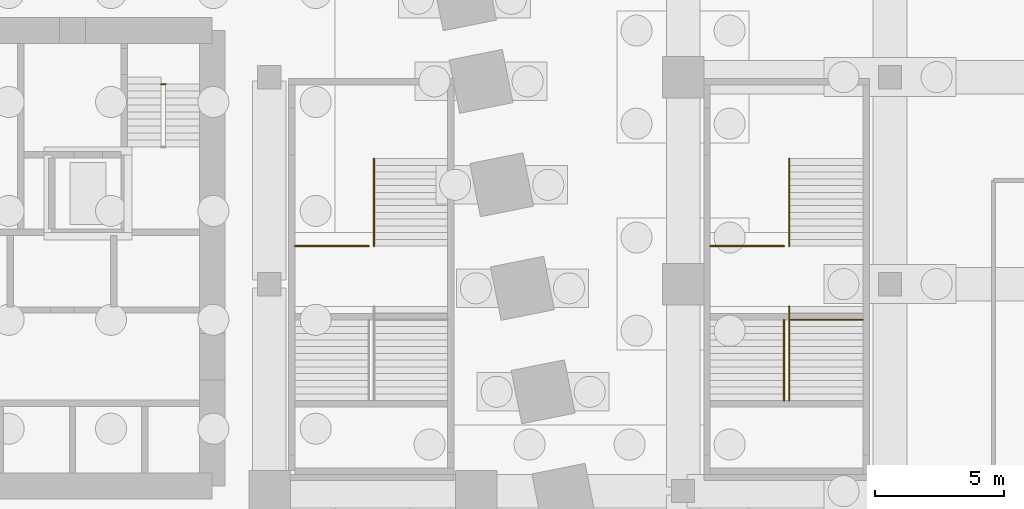
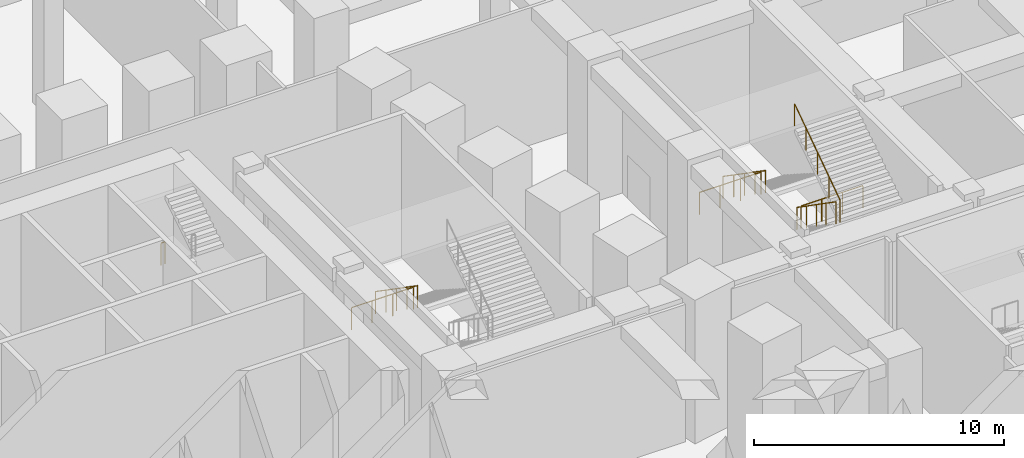
# One storey, part 27 of 30: 8 railings.
"""IFC4 building model written with IfcOpenShell, lengths in metres."""

from ifc_helpers import new_model, si_unit, direction, frame, origin, origin_2d, place, context, subcontext, project, spatial, circle, extrude, material, type_object, element, save


model = new_model("IFC4")

# Units and contexts
model_context = context("Model", 3, precision=1e-05, world=origin(), true_north=direction((0.0, 1.0)))
body_context = subcontext(model_context, "Body", "Model", "MODEL_VIEW")
ifc_project = project(units=[si_unit("LENGTHUNIT", "METRE"), si_unit("AREAUNIT", "SQUARE_METRE"), si_unit("VOLUMEUNIT", "CUBIC_METRE"), si_unit("PLANEANGLEUNIT", "RADIAN"), si_unit("MASSUNIT", "GRAM", prefix="KILO")], contexts=[model_context])

# Site, building, storey
site_placement = place(None, origin())
site = spatial("IfcSite", under=ifc_project, at=site_placement, CompositionType="ELEMENT")
building_placement = place(site_placement, origin())
building = spatial("IfcBuilding", under=site, at=building_placement, Name="Isbrekke Arena Tower", CompositionType="ELEMENT")
storey_placement = place(building_placement, frame((0.0, 0.0, -7.0)))
storey = spatial("IfcBuildingStorey", under=building, at=storey_placement, Name="B1", CompositionType="ELEMENT", Elevation=-7.0)

# Railings
ifc_material = material(Name="Steel stair guard, vertical bars, steel handrail", Category="steel")
railing_type = type_object("IfcRailingType", Name="GR3 STAIR WELL GUARD 1100", PredefinedType="GUARDRAIL", material=ifc_material)
railing_1_placement = place(storey_placement, frame((20.050048828125, 18.85009765625, 0.0)))
element("IfcRailing", 1, at=railing_1_placement, inside=storey, type_object=railing_type, Name="GR3 stair guard X5 flight 1", PredefinedType="GUARDRAIL", context=body_context, shape_type="SweptSolid", body=[
    extrude(circle(Radius=0.02392578125, at=origin_2d()), frame((0.0, 0.0, 1.076171875), z_axis=(0.0, -0.82297034587, 0.568084333368), x_axis=(1.0, 0.0, 0.0)), (0.0, 0.0, 1.0), 4.107177734375),
    extrude(circle(Radius=0.02099609375, at=origin_2d()), origin(), (0.0, 0.0, 1.0), 1.052001953125),
    extrude(circle(Radius=0.02099609375, at=origin_2d()), frame((0.0, -0.844970703125, 0.583251953125)), (0.0, 0.0, 1.0), 1.052001953125),
    extrude(circle(Radius=0.02099609375, at=origin_2d()), frame((0.0, -1.68994140625, 1.16650390625)), (0.0, 0.0, 1.0), 1.052001953125),
    extrude(circle(Radius=0.02099609375, at=origin_2d()), frame((0.0, -2.53515625, 1.75)), (0.0, 0.0, 1.0), 1.052001953125),
    extrude(circle(Radius=0.02099609375, at=origin_2d()), frame((0.0, -3.380126953125, 2.333251953125)), (0.0, 0.0, 1.0), 1.052001953125),
])
railing_2_placement = place(storey_placement, frame((17.0, 15.469970703125, 2.333251953125)))
element("IfcRailing", 2, at=railing_2_placement, inside=storey, type_object=railing_type, Name="GR3 stair guard X5 landing 1 north", PredefinedType="GUARDRAIL", context=body_context, shape_type="SweptSolid", body=[
    extrude(circle(Radius=0.02392578125, at=origin_2d()), frame((0.0, 0.0, 1.076171875), z_axis=(1.0, 0.0, 0.0), x_axis=(0.0, 1.0, 0.0)), (0.0, 0.0, 1.0), 2.85009765625),
    extrude(circle(Radius=0.02099609375, at=origin_2d()), origin(), (0.0, 0.0, 1.0), 1.052001953125),
    extrude(circle(Radius=0.02099609375, at=origin_2d()), frame((0.949951171875, 0.0, 0.0)), (0.0, 0.0, 1.0), 1.052001953125),
    extrude(circle(Radius=0.02099609375, at=origin_2d()), frame((1.900146484375, 0.0, 0.0)), (0.0, 0.0, 1.0), 1.052001953125),
    extrude(circle(Radius=0.02099609375, at=origin_2d()), frame((2.85009765625, 0.0, 0.0)), (0.0, 0.0, 1.0), 1.052001953125),
])
railing_3_placement = place(storey_placement, frame((36.10009765625, 18.85009765625, 0.0)))
element("IfcRailing", 3, at=railing_3_placement, inside=storey, type_object=railing_type, Name="GR3 stair guard X7 flight 1", PredefinedType="GUARDRAIL", context=body_context, shape_type="SweptSolid", body=[
    extrude(circle(Radius=0.02392578125, at=origin_2d()), frame((0.0, 0.0, 1.076171875), z_axis=(0.0, -0.82297034587, 0.568084333368), x_axis=(1.0, 0.0, 0.0)), (0.0, 0.0, 1.0), 4.107177734375),
    extrude(circle(Radius=0.02099609375, at=origin_2d()), origin(), (0.0, 0.0, 1.0), 1.052001953125),
    extrude(circle(Radius=0.02099609375, at=origin_2d()), frame((0.0, -0.844970703125, 0.583251953125)), (0.0, 0.0, 1.0), 1.052001953125),
    extrude(circle(Radius=0.02099609375, at=origin_2d()), frame((0.0, -1.68994140625, 1.16650390625)), (0.0, 0.0, 1.0), 1.052001953125),
    extrude(circle(Radius=0.02099609375, at=origin_2d()), frame((0.0, -2.53515625, 1.75)), (0.0, 0.0, 1.0), 1.052001953125),
    extrude(circle(Radius=0.02099609375, at=origin_2d()), frame((0.0, -3.380126953125, 2.333251953125)), (0.0, 0.0, 1.0), 1.052001953125),
])
for number, where, name in (
    (4, (33.050048828125, 15.469970703125, 2.333251953125), "GR3 stair guard X7 landing 1 north"),
    (5, (36.10009765625, 12.6201171875, 2.333251953125), "GR3 stair guard X7 landing 1 south"),
):
    element("IfcRailing", number, at=place(storey_placement, frame(where)), inside=storey, type_object=railing_type, Name=name, PredefinedType="GUARDRAIL", context=body_context, shape_type="SweptSolid", body=[
        extrude(circle(Radius=0.02392578125, at=origin_2d()), frame((0.0, 0.0, 1.076171875), z_axis=(1.0, 0.0, 0.0), x_axis=(0.0, 1.0, 0.0)), (0.0, 0.0, 1.0), 2.849853515625),
        extrude(circle(Radius=0.02099609375, at=origin_2d()), origin(), (0.0, 0.0, 1.0), 1.052001953125),
        extrude(circle(Radius=0.02099609375, at=origin_2d()), frame((0.949951171875, 0.0, 0.0)), (0.0, 0.0, 1.0), 1.052001953125),
        extrude(circle(Radius=0.02099609375, at=origin_2d()), frame((1.89990234375, 0.0, 0.0)), (0.0, 0.0, 1.0), 1.052001953125),
        extrude(circle(Radius=0.02099609375, at=origin_2d()), frame((2.849853515625, 0.0, 0.0)), (0.0, 0.0, 1.0), 1.052001953125),
    ])
railing_4_placement = place(storey_placement, frame((35.89990234375, 12.6201171875, 2.333251953125)))
element("IfcRailing", 6, at=railing_4_placement, inside=storey, type_object=railing_type, Name="GR3 stair guard X7 flight 2", PredefinedType="GUARDRAIL", context=body_context, shape_type="SweptSolid", body=[
    extrude(circle(Radius=0.02392578125, at=origin_2d()), frame((0.0, 0.0, 1.076171875), z_axis=(0.0, -0.821369965673, 0.570395809495), x_axis=(1.0, 0.0, 0.0)), (0.0, 0.0, 1.0), 3.798583984375),
    extrude(circle(Radius=0.02099609375, at=origin_2d()), origin(), (0.0, 0.0, 1.0), 1.052001953125),
    extrude(circle(Radius=0.02099609375, at=origin_2d()), frame((0.0, -0.780029296875, 0.541748046875)), (0.0, 0.0, 1.0), 1.052001953125),
    extrude(circle(Radius=0.02099609375, at=origin_2d()), frame((0.0, -1.56005859375, 1.08349609375)), (0.0, 0.0, 1.0), 1.052001953125),
    extrude(circle(Radius=0.02099609375, at=origin_2d()), frame((0.0, -2.340087890625, 1.625)), (0.0, 0.0, 1.0), 1.052001953125),
    extrude(circle(Radius=0.02099609375, at=origin_2d()), frame((0.0, -3.1201171875, 2.166748046875)), (0.0, 0.0, 1.0), 1.052001953125),
])
railing_5_placement = place(storey_placement, frame((36.10009765625, 9.5, 4.5)))
element("IfcRailing", 7, at=railing_5_placement, inside=storey, type_object=railing_type, Name="GR3 stair guard X7 flight 3", PredefinedType="GUARDRAIL", context=body_context, shape_type="SweptSolid", body=[
    extrude(circle(Radius=0.02392578125, at=origin_2d()), frame((0.0, 0.0, 1.076171875), z_axis=(0.0, 0.824298337968, 0.566155676491), x_axis=(-1.0, 0.0, 0.0)), (0.0, 0.0, 1.0), 4.415771484375),
    extrude(circle(Radius=0.02099609375, at=origin_2d()), origin(), (0.0, 0.0, 1.0), 1.052001953125),
    extrude(circle(Radius=0.02099609375, at=origin_2d()), frame((0.0, 0.909912109375, 0.625)), (0.0, 0.0, 1.0), 1.052001953125),
    extrude(circle(Radius=0.02099609375, at=origin_2d()), frame((0.0, 1.81982421875, 1.25)), (0.0, 0.0, 1.0), 1.052001953125),
    extrude(circle(Radius=0.02099609375, at=origin_2d()), frame((0.0, 2.72998046875, 1.875)), (0.0, 0.0, 1.0), 1.052001953125),
    extrude(circle(Radius=0.02099609375, at=origin_2d()), frame((0.0, 3.639892578125, 2.5)), (0.0, 0.0, 1.0), 1.052001953125),
])
railing_6_placement = place(storey_placement, frame((11.824951171875, 21.72998046875, 3.5)))
element("IfcRailing", 8, at=railing_6_placement, inside=storey, type_object=railing_type, Name="GR3 stair well guard ST2 B1", PredefinedType="GUARDRAIL", context=body_context, shape_type="SweptSolid", body=[
    extrude(circle(Radius=0.02392578125, at=origin_2d()), frame((0.0, 0.0, 1.076171875), z_axis=(1.0, 0.0, 0.0), x_axis=(0.0, 1.0, 0.0)), (0.0, 0.0, 1.0), 0.175048828125),
    extrude(circle(Radius=0.02099609375, at=origin_2d()), origin(), (0.0, 0.0, 1.0), 1.052001953125),
    extrude(circle(Radius=0.02099609375, at=origin_2d()), frame((0.175048828125, 0.0, 0.0)), (0.0, 0.0, 1.0), 1.052001953125),
])

save(model, "model.ifc")
